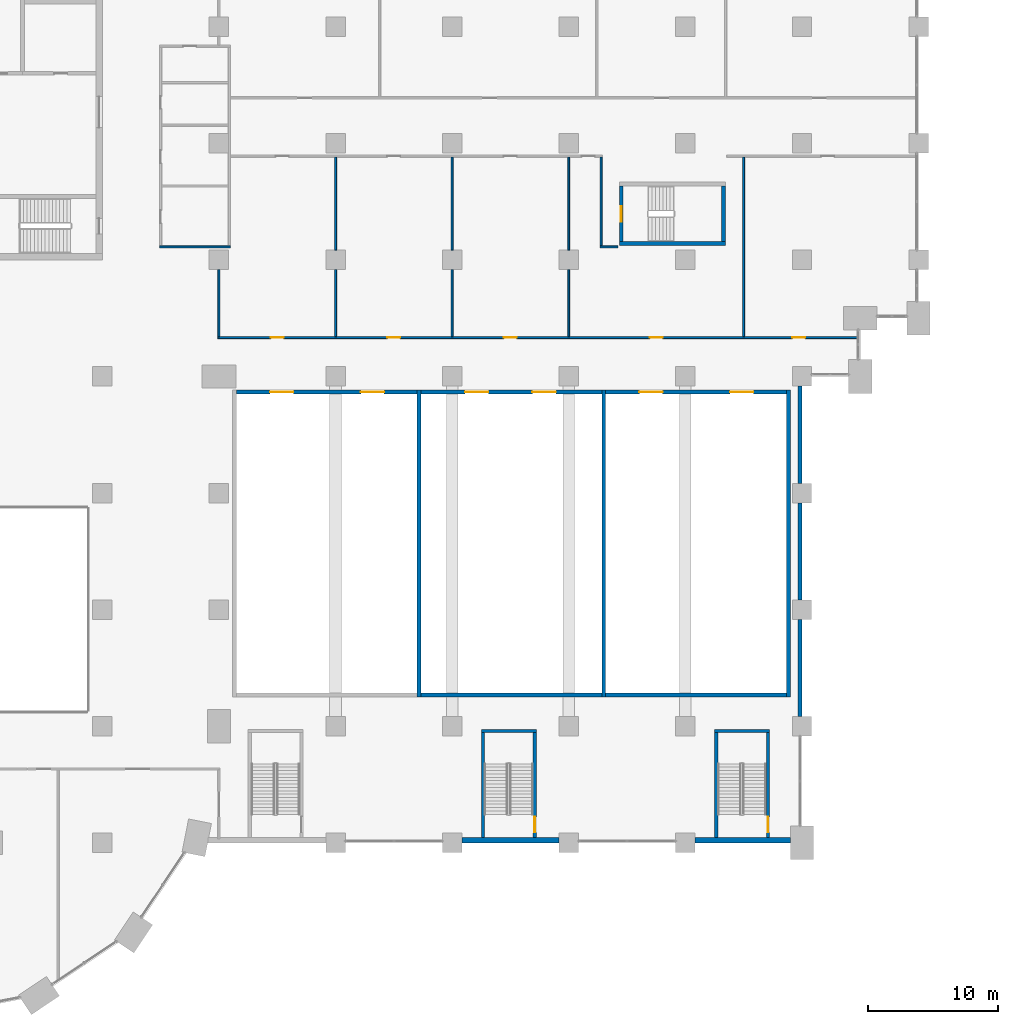
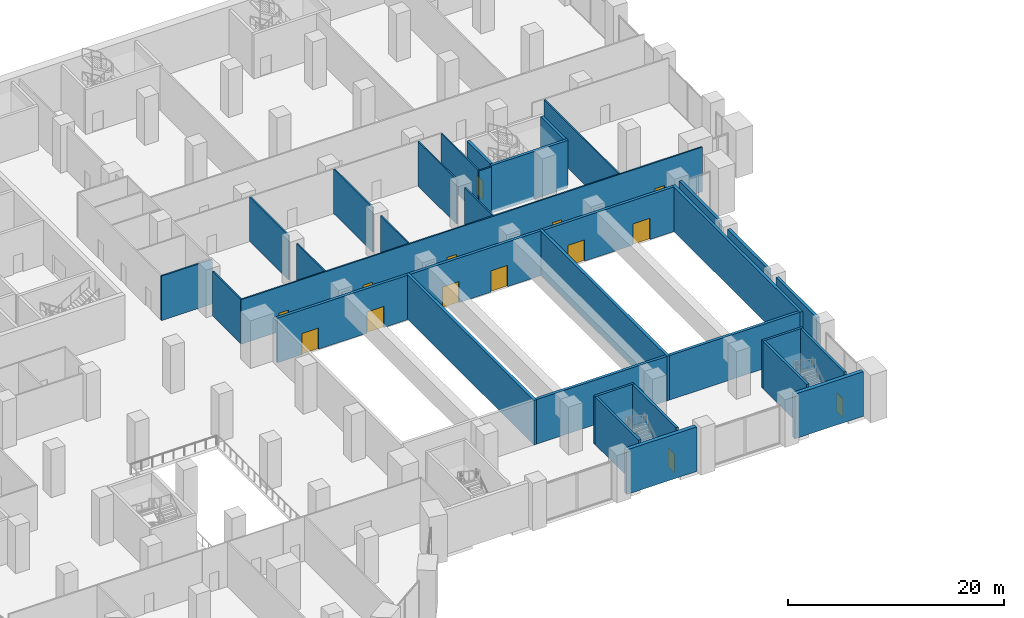
# One storey, part 17 of 43: 34 walls, 14 doors, 14 openings.
"""IFC4 building model written with IfcOpenShell, lengths in metres."""

from ifc_helpers import new_model, si_unit, direction, frame, frame_2d, origin, place, context, subcontext, project, spatial, rectangle, extrude, material, layer, layer_set, type_object, element, fill, save


model = new_model("IFC4")

# Units and contexts
model_context = context("Model", 3, precision=1e-05, world=origin(), true_north=direction((0.0, 1.0)))
body_context = subcontext(model_context, "Body", "Model", "MODEL_VIEW")
ifc_project = project(units=[si_unit("LENGTHUNIT", "METRE"), si_unit("AREAUNIT", "SQUARE_METRE"), si_unit("VOLUMEUNIT", "CUBIC_METRE"), si_unit("PLANEANGLEUNIT", "RADIAN"), si_unit("MASSUNIT", "GRAM", prefix="KILO")], contexts=[model_context])

# Site, building, storey
site_placement = place(None, origin())
site = spatial("IfcSite", under=ifc_project, at=site_placement, CompositionType="ELEMENT")
building_placement = place(site_placement, origin())
building = spatial("IfcBuilding", under=site, at=building_placement, Name="Hunhe Ridgeline Campus", CompositionType="ELEMENT")
storey_placement = place(building_placement, frame((0.0, 0.0, 11.39990234375)))
storey = spatial("IfcBuildingStorey", under=building, at=storey_placement, Name="L02", CompositionType="ELEMENT", Elevation=11.39990234375)

# Walls
ifc_material_1 = material(Name="Plastered blockwork", Category="masonry")
ifc_layer_1 = layer(ifc_material_1, 0.14990234375)
ifc_layer_set_1 = layer_set([ifc_layer_1], Name="Blockwork partition 150")
wall_type_1 = type_object("IfcWallType", Name="Blockwork partition 150", PredefinedType="PARTITIONING", material=ifc_layer_set_1)
wall_1_placement = place(storey_placement, frame((45.0, 57.074951171875, 0.0), z_axis=(0.0, 0.0, 1.0), x_axis=(0.0, 1.0, 0.0)))
element("IfcWall", 1, at=wall_1_placement, inside=storey, type_object=wall_type_1, Name="L02 partition", PredefinedType="PARTITIONING", context=body_context, shape_type="SweptSolid", body=[
    extrude(rectangle(XDim=5.175048828125, YDim=0.14990234375, at=frame_2d((2.58740234375, 0.0))), origin(), (0.0, 0.0, 1.0), 5.050048828125),
])
wall_2_placement = place(storey_placement, frame((45.875, 64.0, 0.0), z_axis=(0.0, 0.0, 1.0), x_axis=(-1.0, 0.0, 0.0)))
element("IfcWall", 2, at=wall_2_placement, inside=storey, type_object=wall_type_1, Name="L02 partition", PredefinedType="PARTITIONING", context=body_context, shape_type="SweptSolid", body=[
    extrude(rectangle(XDim=5.449951171875, YDim=0.14990234375, at=frame_2d((2.72509765625, 0.0))), origin(), (0.0, 0.0, 1.0), 5.050048828125),
])
wall_3_placement = place(storey_placement, frame((74.425048828125, 64.0, 0.0), z_axis=(0.0, 0.0, 1.0), x_axis=(1.0, 0.0, 0.0)))
element("IfcWall", 3, at=wall_3_placement, inside=storey, type_object=wall_type_1, Name="L02 partition", PredefinedType="PARTITIONING", context=body_context, shape_type="SweptSolid", body=[
    extrude(rectangle(XDim=1.375, YDim=0.14990234375, at=frame_2d((0.6875, 0.0))), origin(), (0.0, 0.0, 1.0), 5.050048828125),
])
wall_4_placement = place(storey_placement, frame((54.0, 57.074951171875, 0.0), z_axis=(0.0, 0.0, 1.0), x_axis=(0.0, 1.0, 0.0)))
element("IfcWall", 4, at=wall_4_placement, inside=storey, type_object=wall_type_1, Name="L02 partition", PredefinedType="PARTITIONING", context=body_context, shape_type="SweptSolid", body=[
    extrude(rectangle(XDim=5.175048828125, YDim=0.14990234375, at=frame_2d((2.58740234375, 0.0))), origin(), (0.0, 0.0, 1.0), 5.050048828125),
])
wall_5_placement = place(storey_placement, frame((54.0, 63.75, 0.0), z_axis=(0.0, 0.0, 1.0), x_axis=(0.0, 1.0, 0.0)))
element("IfcWall", 5, at=wall_5_placement, inside=storey, type_object=wall_type_1, Name="L02 partition", PredefinedType="PARTITIONING", context=body_context, shape_type="SweptSolid", body=[
    extrude(rectangle(XDim=7.175048828125, YDim=0.14990234375, at=frame_2d((3.58740234375, 0.0))), origin(), (0.0, 0.0, 1.0), 5.050048828125),
])

# Wall, openings, doors
wall_6_placement = place(storey_placement, frame((94.320068359375, 57.0, 0.0), z_axis=(0.0, 0.0, 1.0), x_axis=(-1.0, 0.0, 0.0)))
wall_6 = element("IfcWall", 6, at=wall_6_placement, inside=storey, type_object=wall_type_1, Name="L02 partition", PredefinedType="PARTITIONING", context=body_context, shape_type="SweptSolid", body=[
    extrude(rectangle(XDim=49.39501953125, YDim=0.14990234375, at=frame_2d((24.697509765625, 0.0))), origin(), (0.0, 0.0, 1.0), 5.050048828125),
])
opening_1_placement = place(wall_6_placement, frame((44.320068359375, 0.0, 0.0)))
opening_1 = element("IfcOpeningElement", 7, at=opening_1_placement, cuts=wall_6, Name="Opening PD327", PredefinedType="OPENING", context=body_context, shape_type="SweptSolid", body=[
    extrude(rectangle(XDim=1.0, YDim=2.10009765625, at=frame_2d((0.5, 1.050048828125))), frame((0.0, 0.074951171875, 0.0), z_axis=(0.0, -1.0, 0.0), x_axis=(1.0, 0.0, 0.0)), (0.0, 0.0, 1.0), 0.14990234375),
])
opening_2_placement = place(wall_6_placement, frame((35.320068359375, 0.0, 0.0)))
opening_2 = element("IfcOpeningElement", 8, at=opening_2_placement, cuts=wall_6, Name="Opening PD329", PredefinedType="OPENING", context=body_context, shape_type="SweptSolid", body=[
    extrude(rectangle(XDim=1.0, YDim=2.10009765625, at=frame_2d((0.5, 1.050048828125))), frame((0.0, 0.074951171875, 0.0), z_axis=(0.0, -1.0, 0.0), x_axis=(1.0, 0.0, 0.0)), (0.0, 0.0, 1.0), 0.14990234375),
])
opening_3_placement = place(wall_6_placement, frame((26.320068359375, 0.0, 0.0)))
opening_3 = element("IfcOpeningElement", 9, at=opening_3_placement, cuts=wall_6, Name="Opening PD331", PredefinedType="OPENING", context=body_context, shape_type="SweptSolid", body=[
    extrude(rectangle(XDim=1.0, YDim=2.10009765625, at=frame_2d((0.5, 1.050048828125))), frame((0.0, 0.074951171875, 0.0), z_axis=(0.0, -1.0, 0.0), x_axis=(1.0, 0.0, 0.0)), (0.0, 0.0, 1.0), 0.14990234375),
])
opening_4_placement = place(wall_6_placement, frame((15.070068359375, 0.0, 0.0)))
opening_4 = element("IfcOpeningElement", 10, at=opening_4_placement, cuts=wall_6, Name="Opening PD333", PredefinedType="OPENING", context=body_context, shape_type="SweptSolid", body=[
    extrude(rectangle(XDim=1.0, YDim=2.10009765625, at=frame_2d((0.5, 1.050048828125))), frame((0.0, 0.074951171875, 0.0), z_axis=(0.0, -1.0, 0.0), x_axis=(1.0, 0.0, 0.0)), (0.0, 0.0, 1.0), 0.14990234375),
])
opening_5_placement = place(wall_6_placement, frame((4.070068359375, 0.0, 0.0)))
opening_5 = element("IfcOpeningElement", 11, at=opening_5_placement, cuts=wall_6, Name="Opening PD336", PredefinedType="OPENING", context=body_context, shape_type="SweptSolid", body=[
    extrude(rectangle(XDim=1.0, YDim=2.10009765625, at=frame_2d((0.5, 1.050048828125))), frame((0.0, 0.074951171875, 0.0), z_axis=(0.0, -1.0, 0.0), x_axis=(1.0, 0.0, 0.0)), (0.0, 0.0, 1.0), 0.14990234375),
])
ifc_material_2 = material(Name="Timber", Category="wood")
door_type_1 = type_object("IfcDoorType", Name="Podium timber door 1000x2100", OperationType="NOTDEFINED", PredefinedType="DOOR", material=ifc_material_2)
door_1_placement = place(opening_1_placement, origin())
door_1 = element("IfcDoor", 12, at=door_1_placement, inside=storey, type_object=door_type_1, Name="AV Projection Room A door", OperationType="SINGLE_SWING_RIGHT", OverallHeight=2.10009765625, OverallWidth=1.0, PredefinedType="DOOR", context=body_context, shape_type="SweptSolid", body=[
    extrude(rectangle(XDim=1.0, YDim=2.10009765625, at=frame_2d((0.5, 1.050048828125))), frame((0.0, 0.02490234375, 0.0), z_axis=(0.0, -1.0, 0.0), x_axis=(1.0, 0.0, 0.0)), (0.0, 0.0, 1.0), 0.050048828125),
])
fill(opening_1, door_1)
door_2_placement = place(opening_2_placement, origin())
door_2 = element("IfcDoor", 13, at=door_2_placement, inside=storey, type_object=door_type_1, Name="AV Projection Room B door", OperationType="SINGLE_SWING_RIGHT", OverallHeight=2.10009765625, OverallWidth=1.0, PredefinedType="DOOR", context=body_context, shape_type="SweptSolid", body=[
    extrude(rectangle(XDim=1.0, YDim=2.10009765625, at=frame_2d((0.5, 1.050048828125))), frame((0.0, 0.02490234375, 0.0), z_axis=(0.0, -1.0, 0.0), x_axis=(1.0, 0.0, 0.0)), (0.0, 0.0, 1.0), 0.050048828125),
])
fill(opening_2, door_2)
door_3_placement = place(opening_3_placement, origin())
door_3 = element("IfcDoor", 14, at=door_3_placement, inside=storey, type_object=door_type_1, Name="AV Projection Room C door", OperationType="SINGLE_SWING_RIGHT", OverallHeight=2.10009765625, OverallWidth=1.0, PredefinedType="DOOR", context=body_context, shape_type="SweptSolid", body=[
    extrude(rectangle(XDim=1.0, YDim=2.10009765625, at=frame_2d((0.5, 1.050048828125))), frame((0.0, 0.02490234375, 0.0), z_axis=(0.0, -1.0, 0.0), x_axis=(1.0, 0.0, 0.0)), (0.0, 0.0, 1.0), 0.050048828125),
])
fill(opening_3, door_3)
door_4_placement = place(opening_4_placement, origin())
door_4 = element("IfcDoor", 15, at=door_4_placement, inside=storey, type_object=door_type_1, Name="Seminar Room 2.09 door", OperationType="SINGLE_SWING_LEFT", OverallHeight=2.10009765625, OverallWidth=1.0, PredefinedType="DOOR", context=body_context, shape_type="SweptSolid", body=[
    extrude(rectangle(XDim=1.0, YDim=2.10009765625, at=frame_2d((0.5, 1.050048828125))), frame((0.0, 0.02490234375, 0.0), z_axis=(0.0, -1.0, 0.0), x_axis=(1.0, 0.0, 0.0)), (0.0, 0.0, 1.0), 0.050048828125),
])
fill(opening_4, door_4)
door_5_placement = place(opening_5_placement, origin())
door_5 = element("IfcDoor", 16, at=door_5_placement, inside=storey, type_object=door_type_1, Name="Seminar Room 2.10 door", OperationType="SINGLE_SWING_LEFT", OverallHeight=2.10009765625, OverallWidth=1.0, PredefinedType="DOOR", context=body_context, shape_type="SweptSolid", body=[
    extrude(rectangle(XDim=1.0, YDim=2.10009765625, at=frame_2d((0.5, 1.050048828125))), frame((0.0, 0.02490234375, 0.0), z_axis=(0.0, -1.0, 0.0), x_axis=(1.0, 0.0, 0.0)), (0.0, 0.0, 1.0), 0.050048828125),
])
fill(opening_5, door_5)

# Walls
wall_7_placement = place(storey_placement, frame((63.0, 57.074951171875, 0.0), z_axis=(0.0, 0.0, 1.0), x_axis=(0.0, 1.0, 0.0)))
element("IfcWall", 17, at=wall_7_placement, inside=storey, type_object=wall_type_1, Name="L02 partition", PredefinedType="PARTITIONING", context=body_context, shape_type="SweptSolid", body=[
    extrude(rectangle(XDim=5.175048828125, YDim=0.14990234375, at=frame_2d((2.58740234375, 0.0))), origin(), (0.0, 0.0, 1.0), 5.050048828125),
])
wall_8_placement = place(storey_placement, frame((63.0, 63.75, 0.0), z_axis=(0.0, 0.0, 1.0), x_axis=(0.0, 1.0, 0.0)))
element("IfcWall", 18, at=wall_8_placement, inside=storey, type_object=wall_type_1, Name="L02 partition", PredefinedType="PARTITIONING", context=body_context, shape_type="SweptSolid", body=[
    extrude(rectangle(XDim=7.175048828125, YDim=0.14990234375, at=frame_2d((3.58740234375, 0.0))), origin(), (0.0, 0.0, 1.0), 5.050048828125),
])
wall_9_placement = place(storey_placement, frame((72.0, 57.074951171875, 0.0), z_axis=(0.0, 0.0, 1.0), x_axis=(0.0, 1.0, 0.0)))
element("IfcWall", 19, at=wall_9_placement, inside=storey, type_object=wall_type_1, Name="L02 partition", PredefinedType="PARTITIONING", context=body_context, shape_type="SweptSolid", body=[
    extrude(rectangle(XDim=5.175048828125, YDim=0.14990234375, at=frame_2d((2.58740234375, 0.0))), origin(), (0.0, 0.0, 1.0), 5.050048828125),
])
wall_10_placement = place(storey_placement, frame((72.0, 63.75, 0.0), z_axis=(0.0, 0.0, 1.0), x_axis=(0.0, 1.0, 0.0)))
element("IfcWall", 20, at=wall_10_placement, inside=storey, type_object=wall_type_1, Name="L02 partition", PredefinedType="PARTITIONING", context=body_context, shape_type="SweptSolid", body=[
    extrude(rectangle(XDim=7.175048828125, YDim=0.14990234375, at=frame_2d((3.58740234375, 0.0))), origin(), (0.0, 0.0, 1.0), 5.050048828125),
])
wall_11_placement = place(storey_placement, frame((85.5, 57.074951171875, 0.0), z_axis=(0.0, 0.0, 1.0), x_axis=(0.0, 1.0, 0.0)))
element("IfcWall", 21, at=wall_11_placement, inside=storey, type_object=wall_type_1, Name="L02 partition", PredefinedType="PARTITIONING", context=body_context, shape_type="SweptSolid", body=[
    extrude(rectangle(XDim=13.85009765625, YDim=0.14990234375, at=frame_2d((6.925048828125, 0.0))), origin(), (0.0, 0.0, 1.0), 5.050048828125),
])
wall_12_placement = place(storey_placement, frame((74.5, 70.925048828125, 0.0), z_axis=(0.0, 0.0, 1.0), x_axis=(0.0, -1.0, 0.0)))
element("IfcWall", 22, at=wall_12_placement, inside=storey, type_object=wall_type_1, Name="L02 partition", PredefinedType="PARTITIONING", context=body_context, shape_type="SweptSolid", body=[
    extrude(rectangle(XDim=6.85009765625, YDim=0.14990234375, at=frame_2d((3.425048828125, 0.0))), origin(), (0.0, 0.0, 1.0), 5.050048828125),
])
ifc_material_3 = material(Name="Concrete C40", Category="concrete")
ifc_layer_2 = layer(ifc_material_3, 0.300048828125)
ifc_layer_set_2 = layer_set([ifc_layer_2], Name="External concrete wall 300 C40")
wall_type_2 = type_object("IfcWallType", Name="External concrete wall 300 C40", PredefinedType="SOLIDWALL", material=ifc_layer_set_2)
for number, where, z_axis, x_axis, name in (
    (23, (89.85009765625, 27.75, 0.0), (0.0, 0.0, 1.0), (0.0, 1.0, 0.0), "L02 external wall"),
    (24, (89.85009765625, 36.75, 0.0), (0.0, 0.0, 1.0), (0.0, 1.0, 0.0), "L02 external wall"),
    (25, (89.85009765625, 45.75, 0.0), (0.0, 0.0, 1.0), (0.0, 1.0, 0.0), "L02 external wall"),
):
    element("IfcWall", number, at=place(storey_placement, frame(where, z_axis=z_axis, x_axis=x_axis)), inside=storey, type_object=wall_type_2, Name=name, PredefinedType="SOLIDWALL", context=body_context, shape_type="SweptSolid", body=[
        extrude(rectangle(XDim=7.5, YDim=0.300048828125, at=frame_2d((3.75, 0.0))), origin(), (0.0, 0.0, 1.0), 5.050048828125),
    ])
ifc_layer_3 = layer(ifc_material_3, 0.300048828125)
ifc_layer_set_3 = layer_set([ifc_layer_3], Name="Lecture hall wall 300 C40")
wall_type_3 = type_object("IfcWallType", Name="Lecture hall wall 300 C40", PredefinedType="SOLIDWALL", material=ifc_layer_set_3)
for number, where, z_axis, x_axis, name in (
    (26, (60.449951171875, 29.25, 0.0), (0.0, 0.0, 1.0), (0.0, 1.0, 0.0), "L02 lecture hall wall"),
    (27, (74.699951171875, 29.25, 0.0), (0.0, 0.0, 1.0), (0.0, 1.0, 0.0), "L02 lecture hall wall"),
    (28, (88.949951171875, 29.25, 0.0), (0.0, 0.0, 1.0), (0.0, 1.0, 0.0), "L02 lecture hall wall"),
):
    element("IfcWall", number, at=place(storey_placement, frame(where, z_axis=z_axis, x_axis=x_axis)), inside=storey, type_object=wall_type_3, Name=name, PredefinedType="SOLIDWALL", context=body_context, shape_type="SweptSolid", body=[
        extrude(rectangle(XDim=23.699951171875, YDim=0.300048828125, at=frame_2d((11.85009765625, 0.0))), origin(), (0.0, 0.0, 1.0), 5.050048828125),
    ])

# Wall, openings, doors
wall_13_placement = place(storey_placement, frame((46.35009765625, 52.800048828125, 0.0), z_axis=(0.0, 0.0, 1.0), x_axis=(1.0, 0.0, 0.0)))
wall_13 = element("IfcWall", 29, at=wall_13_placement, inside=storey, type_object=wall_type_3, Name="L02 lecture hall wall", PredefinedType="SOLIDWALL", context=body_context, shape_type="SweptSolid", body=[
    extrude(rectangle(XDim=13.949951171875, YDim=0.300048828125, at=frame_2d((6.97509765625, 0.0))), origin(), (0.0, 0.0, 1.0), 5.050048828125),
])
opening_6_placement = place(wall_13_placement, frame((2.60009765625, 0.0, 0.0)))
opening_6 = element("IfcOpeningElement", 30, at=opening_6_placement, cuts=wall_13, Name="Opening PD304", PredefinedType="OPENING", context=body_context, shape_type="SweptSolid", body=[
    extrude(rectangle(XDim=1.800048828125, YDim=2.39990234375, at=frame_2d((0.89990234375, 1.199951171875))), frame((0.0, 0.14990234375, 0.0), z_axis=(0.0, -1.0, 0.0), x_axis=(1.0, 0.0, 0.0)), (0.0, 0.0, 1.0), 0.300048828125),
])
opening_7_placement = place(wall_13_placement, frame((9.60009765625, 0.0, 0.0)))
opening_7 = element("IfcOpeningElement", 31, at=opening_7_placement, cuts=wall_13, Name="Opening PD305", PredefinedType="OPENING", context=body_context, shape_type="SweptSolid", body=[
    extrude(rectangle(XDim=1.800048828125, YDim=2.39990234375, at=frame_2d((0.89990234375, 1.199951171875))), frame((0.0, 0.14990234375, 0.0), z_axis=(0.0, -1.0, 0.0), x_axis=(1.0, 0.0, 0.0)), (0.0, 0.0, 1.0), 0.300048828125),
])
door_type_2 = type_object("IfcDoorType", Name="Podium lecture hall double door 1800x2400", OperationType="NOTDEFINED", PredefinedType="DOOR", material=ifc_material_2)
door_6_placement = place(opening_6_placement, origin())
door_6 = element("IfcDoor", 32, at=door_6_placement, inside=storey, type_object=door_type_2, Name="Lecture Hall A rear door", OperationType="DOUBLE_DOOR_SINGLE_SWING", OverallHeight=2.39990234375, OverallWidth=1.800048828125, PredefinedType="DOOR", context=body_context, shape_type="SweptSolid", body=[
    extrude(rectangle(XDim=1.800048828125, YDim=2.39990234375, at=frame_2d((0.89990234375, 1.199951171875))), frame((0.0, 0.02490234375, 0.0), z_axis=(0.0, -1.0, 0.0), x_axis=(1.0, 0.0, 0.0)), (0.0, 0.0, 1.0), 0.050048828125),
])
fill(opening_6, door_6)
door_7_placement = place(opening_7_placement, origin())
door_7 = element("IfcDoor", 33, at=door_7_placement, inside=storey, type_object=door_type_2, Name="Lecture Hall A rear door", OperationType="DOUBLE_DOOR_SINGLE_SWING", OverallHeight=2.39990234375, OverallWidth=1.800048828125, PredefinedType="DOOR", context=body_context, shape_type="SweptSolid", body=[
    extrude(rectangle(XDim=1.800048828125, YDim=2.39990234375, at=frame_2d((0.89990234375, 1.199951171875))), frame((0.0, 0.02490234375, 0.0), z_axis=(0.0, -1.0, 0.0), x_axis=(1.0, 0.0, 0.0)), (0.0, 0.0, 1.0), 0.050048828125),
])
fill(opening_7, door_7)

# Wall
wall_14_placement = place(storey_placement, frame((74.550048828125, 29.39990234375, 0.0), z_axis=(0.0, 0.0, 1.0), x_axis=(-1.0, 0.0, 0.0)))
element("IfcWall", 34, at=wall_14_placement, inside=storey, type_object=wall_type_3, Name="L02 lecture hall wall", PredefinedType="SOLIDWALL", context=body_context, shape_type="SweptSolid", body=[
    extrude(rectangle(XDim=13.949951171875, YDim=0.300048828125, at=frame_2d((6.97509765625, 0.0))), origin(), (0.0, 0.0, 1.0), 5.050048828125),
])

# Wall, openings, doors
wall_15_placement = place(storey_placement, frame((60.60009765625, 52.800048828125, 0.0), z_axis=(0.0, 0.0, 1.0), x_axis=(1.0, 0.0, 0.0)))
wall_15 = element("IfcWall", 35, at=wall_15_placement, inside=storey, type_object=wall_type_3, Name="L02 lecture hall wall", PredefinedType="SOLIDWALL", context=body_context, shape_type="SweptSolid", body=[
    extrude(rectangle(XDim=13.949951171875, YDim=0.300048828125, at=frame_2d((6.97509765625, 0.0))), origin(), (0.0, 0.0, 1.0), 5.050048828125),
])
opening_8_placement = place(wall_15_placement, frame((3.39990234375, 0.0, 0.0)))
opening_8 = element("IfcOpeningElement", 36, at=opening_8_placement, cuts=wall_15, Name="Opening PD306", PredefinedType="OPENING", context=body_context, shape_type="SweptSolid", body=[
    extrude(rectangle(XDim=1.800048828125, YDim=2.39990234375, at=frame_2d((0.89990234375, 1.199951171875))), frame((0.0, 0.14990234375, 0.0), z_axis=(0.0, -1.0, 0.0), x_axis=(1.0, 0.0, 0.0)), (0.0, 0.0, 1.0), 0.300048828125),
])
opening_9_placement = place(wall_15_placement, frame((8.60009765625, 0.0, 0.0)))
opening_9 = element("IfcOpeningElement", 37, at=opening_9_placement, cuts=wall_15, Name="Opening PD307", PredefinedType="OPENING", context=body_context, shape_type="SweptSolid", body=[
    extrude(rectangle(XDim=1.800048828125, YDim=2.39990234375, at=frame_2d((0.89990234375, 1.199951171875))), frame((0.0, 0.14990234375, 0.0), z_axis=(0.0, -1.0, 0.0), x_axis=(1.0, 0.0, 0.0)), (0.0, 0.0, 1.0), 0.300048828125),
])
door_8_placement = place(opening_8_placement, origin())
door_8 = element("IfcDoor", 38, at=door_8_placement, inside=storey, type_object=door_type_2, Name="Lecture Hall B rear door", OperationType="DOUBLE_DOOR_SINGLE_SWING", OverallHeight=2.39990234375, OverallWidth=1.800048828125, PredefinedType="DOOR", context=body_context, shape_type="SweptSolid", body=[
    extrude(rectangle(XDim=1.800048828125, YDim=2.39990234375, at=frame_2d((0.89990234375, 1.199951171875))), frame((0.0, 0.02490234375, 0.0), z_axis=(0.0, -1.0, 0.0), x_axis=(1.0, 0.0, 0.0)), (0.0, 0.0, 1.0), 0.050048828125),
])
fill(opening_8, door_8)
door_9_placement = place(opening_9_placement, origin())
door_9 = element("IfcDoor", 39, at=door_9_placement, inside=storey, type_object=door_type_2, Name="Lecture Hall B rear door", OperationType="DOUBLE_DOOR_SINGLE_SWING", OverallHeight=2.39990234375, OverallWidth=1.800048828125, PredefinedType="DOOR", context=body_context, shape_type="SweptSolid", body=[
    extrude(rectangle(XDim=1.800048828125, YDim=2.39990234375, at=frame_2d((0.89990234375, 1.199951171875))), frame((0.0, 0.02490234375, 0.0), z_axis=(0.0, -1.0, 0.0), x_axis=(1.0, 0.0, 0.0)), (0.0, 0.0, 1.0), 0.050048828125),
])
fill(opening_9, door_9)

# Wall
wall_16_placement = place(storey_placement, frame((88.800048828125, 29.39990234375, 0.0), z_axis=(0.0, 0.0, 1.0), x_axis=(-1.0, 0.0, 0.0)))
element("IfcWall", 40, at=wall_16_placement, inside=storey, type_object=wall_type_3, Name="L02 lecture hall wall", PredefinedType="SOLIDWALL", context=body_context, shape_type="SweptSolid", body=[
    extrude(rectangle(XDim=13.949951171875, YDim=0.300048828125, at=frame_2d((6.97509765625, 0.0))), origin(), (0.0, 0.0, 1.0), 5.050048828125),
])

# Wall, openings, doors
wall_17_placement = place(storey_placement, frame((74.85009765625, 52.800048828125, 0.0), z_axis=(0.0, 0.0, 1.0), x_axis=(1.0, 0.0, 0.0)))
wall_17 = element("IfcWall", 41, at=wall_17_placement, inside=storey, type_object=wall_type_3, Name="L02 lecture hall wall", PredefinedType="SOLIDWALL", context=body_context, shape_type="SweptSolid", body=[
    extrude(rectangle(XDim=13.949951171875, YDim=0.300048828125, at=frame_2d((6.97509765625, 0.0))), origin(), (0.0, 0.0, 1.0), 5.050048828125),
])
opening_10_placement = place(wall_17_placement, frame((2.60009765625, 0.0, 0.0)))
opening_10 = element("IfcOpeningElement", 42, at=opening_10_placement, cuts=wall_17, Name="Opening PD308", PredefinedType="OPENING", context=body_context, shape_type="SweptSolid", body=[
    extrude(rectangle(XDim=1.800048828125, YDim=2.39990234375, at=frame_2d((0.89990234375, 1.199951171875))), frame((0.0, 0.14990234375, 0.0), z_axis=(0.0, -1.0, 0.0), x_axis=(1.0, 0.0, 0.0)), (0.0, 0.0, 1.0), 0.300048828125),
])
opening_11_placement = place(wall_17_placement, frame((9.60009765625, 0.0, 0.0)))
opening_11 = element("IfcOpeningElement", 43, at=opening_11_placement, cuts=wall_17, Name="Opening PD309", PredefinedType="OPENING", context=body_context, shape_type="SweptSolid", body=[
    extrude(rectangle(XDim=1.800048828125, YDim=2.39990234375, at=frame_2d((0.89990234375, 1.199951171875))), frame((0.0, 0.14990234375, 0.0), z_axis=(0.0, -1.0, 0.0), x_axis=(1.0, 0.0, 0.0)), (0.0, 0.0, 1.0), 0.300048828125),
])
door_10_placement = place(opening_10_placement, origin())
door_10 = element("IfcDoor", 44, at=door_10_placement, inside=storey, type_object=door_type_2, Name="Lecture Hall C rear door", OperationType="DOUBLE_DOOR_SINGLE_SWING", OverallHeight=2.39990234375, OverallWidth=1.800048828125, PredefinedType="DOOR", context=body_context, shape_type="SweptSolid", body=[
    extrude(rectangle(XDim=1.800048828125, YDim=2.39990234375, at=frame_2d((0.89990234375, 1.199951171875))), frame((0.0, 0.02490234375, 0.0), z_axis=(0.0, -1.0, 0.0), x_axis=(1.0, 0.0, 0.0)), (0.0, 0.0, 1.0), 0.050048828125),
])
fill(opening_10, door_10)
door_11_placement = place(opening_11_placement, origin())
door_11 = element("IfcDoor", 45, at=door_11_placement, inside=storey, type_object=door_type_2, Name="Lecture Hall C rear door", OperationType="DOUBLE_DOOR_SINGLE_SWING", OverallHeight=2.39990234375, OverallWidth=1.800048828125, PredefinedType="DOOR", context=body_context, shape_type="SweptSolid", body=[
    extrude(rectangle(XDim=1.800048828125, YDim=2.39990234375, at=frame_2d((0.89990234375, 1.199951171875))), frame((0.0, 0.02490234375, 0.0), z_axis=(0.0, -1.0, 0.0), x_axis=(1.0, 0.0, 0.0)), (0.0, 0.0, 1.0), 0.050048828125),
])
fill(opening_11, door_11)

# Walls
ifc_layer_4 = layer(ifc_material_3, 0.39990234375)
ifc_layer_set_4 = layer_set([ifc_layer_4], Name="Stair shaft facade wall 400 C40")
wall_type_4 = type_object("IfcWallType", Name="Stair shaft facade wall 400 C40", PredefinedType="SOLIDWALL", material=ifc_layer_set_4)
wall_18_placement = place(storey_placement, frame((71.25, 18.199951171875, 0.0), z_axis=(0.0, 0.0, 1.0), x_axis=(-1.0, 0.0, 0.0)))
element("IfcWall", 46, at=wall_18_placement, inside=storey, type_object=wall_type_4, Name="L02 stair facade wall", PredefinedType="SOLIDWALL", context=body_context, shape_type="SweptSolid", body=[
    extrude(rectangle(XDim=7.5, YDim=0.39990234375, at=frame_2d((3.75, 0.0))), origin(), (0.0, 0.0, 1.0), 5.050048828125),
])
wall_19_placement = place(storey_placement, frame((89.10009765625, 18.199951171875, 0.0), z_axis=(0.0, 0.0, 1.0), x_axis=(-1.0, 0.0, 0.0)))
element("IfcWall", 47, at=wall_19_placement, inside=storey, type_object=wall_type_4, Name="L02 stair facade wall", PredefinedType="SOLIDWALL", context=body_context, shape_type="SweptSolid", body=[
    extrude(rectangle(XDim=7.35009765625, YDim=0.39990234375, at=frame_2d((3.675048828125, 0.0))), origin(), (0.0, 0.0, 1.0), 5.050048828125),
])
ifc_layer_5 = layer(ifc_material_3, 0.25)
ifc_layer_set_5 = layer_set([ifc_layer_5], Name="Stair shaft wall 250 C40")
wall_type_5 = type_object("IfcWallType", Name="Stair shaft wall 250 C40", PredefinedType="SOLIDWALL", material=ifc_layer_set_5)
wall_20_placement = place(storey_placement, frame((65.375, 18.39990234375, 0.0), z_axis=(0.0, 0.0, 1.0), x_axis=(0.0, 1.0, 0.0)))
element("IfcWall", 48, at=wall_20_placement, inside=storey, type_object=wall_type_5, Name="L02 PS2 shaft wall", PredefinedType="SOLIDWALL", context=body_context, shape_type="SweptSolid", body=[
    extrude(rectangle(XDim=8.10009765625, YDim=0.25, at=frame_2d((4.050048828125, 0.0))), origin(), (0.0, 0.0, 1.0), 5.400146484375),
])

# Wall, opening, door
wall_21_placement = place(storey_placement, frame((69.375, 26.5, 0.0), z_axis=(0.0, 0.0, 1.0), x_axis=(0.0, -1.0, 0.0)))
wall_21 = element("IfcWall", 49, at=wall_21_placement, inside=storey, type_object=wall_type_5, Name="L02 PS2 shaft wall", PredefinedType="SOLIDWALL", context=body_context, shape_type="SweptSolid", body=[
    extrude(rectangle(XDim=8.10009765625, YDim=0.25, at=frame_2d((4.050048828125, 0.0))), origin(), (0.0, 0.0, 1.0), 5.400146484375),
])
opening_12_placement = place(wall_21_placement, frame((6.5, 0.0, 0.0)))
opening_12 = element("IfcOpeningElement", 50, at=opening_12_placement, cuts=wall_21, Name="Opening PD302", PredefinedType="OPENING", context=body_context, shape_type="SweptSolid", body=[
    extrude(rectangle(XDim=1.199951171875, YDim=2.10009765625, at=frame_2d((0.60009765625, 1.050048828125))), frame((0.0, 0.125, 0.0), z_axis=(0.0, -1.0, 0.0), x_axis=(1.0, 0.0, 0.0)), (0.0, 0.0, 1.0), 0.25),
])
ifc_material_4 = material(Name="Steel Q235", Category="steel")
door_type_3 = type_object("IfcDoorType", Name="Podium fire door 1200x2100 FD60", OperationType="NOTDEFINED", PredefinedType="DOOR", material=ifc_material_4)
door_12_placement = place(opening_12_placement, origin())
door_12 = element("IfcDoor", 51, at=door_12_placement, inside=storey, type_object=door_type_3, Name="Stair door PS2", OperationType="SINGLE_SWING_LEFT", OverallHeight=2.10009765625, OverallWidth=1.199951171875, PredefinedType="DOOR", context=body_context, shape_type="SweptSolid", body=[
    extrude(rectangle(XDim=1.199951171875, YDim=2.10009765625, at=frame_2d((0.60009765625, 1.050048828125))), frame((0.0, 0.02490234375, 0.0), z_axis=(0.0, -1.0, 0.0), x_axis=(1.0, 0.0, 0.0)), (0.0, 0.0, 1.0), 0.050048828125),
])
fill(opening_12, door_12)

# Walls
wall_22_placement = place(storey_placement, frame((65.25, 26.625, 0.0), z_axis=(0.0, 0.0, 1.0), x_axis=(1.0, 0.0, 0.0)))
element("IfcWall", 52, at=wall_22_placement, inside=storey, type_object=wall_type_5, Name="L02 PS2 shaft wall", PredefinedType="SOLIDWALL", context=body_context, shape_type="SweptSolid", body=[
    extrude(rectangle(XDim=4.25, YDim=0.25, at=frame_2d((2.125, 0.0))), origin(), (0.0, 0.0, 1.0), 5.400146484375),
])
wall_23_placement = place(storey_placement, frame((83.375, 18.39990234375, 0.0), z_axis=(0.0, 0.0, 1.0), x_axis=(0.0, 1.0, 0.0)))
element("IfcWall", 53, at=wall_23_placement, inside=storey, type_object=wall_type_5, Name="L02 PS3 shaft wall", PredefinedType="SOLIDWALL", context=body_context, shape_type="SweptSolid", body=[
    extrude(rectangle(XDim=8.10009765625, YDim=0.25, at=frame_2d((4.050048828125, 0.0))), origin(), (0.0, 0.0, 1.0), 5.400146484375),
])

# Wall, opening, door
wall_24_placement = place(storey_placement, frame((87.375, 26.5, 0.0), z_axis=(0.0, 0.0, 1.0), x_axis=(0.0, -1.0, 0.0)))
wall_24 = element("IfcWall", 54, at=wall_24_placement, inside=storey, type_object=wall_type_5, Name="L02 PS3 shaft wall", PredefinedType="SOLIDWALL", context=body_context, shape_type="SweptSolid", body=[
    extrude(rectangle(XDim=8.10009765625, YDim=0.25, at=frame_2d((4.050048828125, 0.0))), origin(), (0.0, 0.0, 1.0), 5.400146484375),
])
opening_13_placement = place(wall_24_placement, frame((6.5, 0.0, 0.0)))
opening_13 = element("IfcOpeningElement", 55, at=opening_13_placement, cuts=wall_24, Name="Opening PD303", PredefinedType="OPENING", context=body_context, shape_type="SweptSolid", body=[
    extrude(rectangle(XDim=1.199951171875, YDim=2.10009765625, at=frame_2d((0.60009765625, 1.050048828125))), frame((0.0, 0.125, 0.0), z_axis=(0.0, -1.0, 0.0), x_axis=(1.0, 0.0, 0.0)), (0.0, 0.0, 1.0), 0.25),
])
door_13_placement = place(opening_13_placement, origin())
door_13 = element("IfcDoor", 56, at=door_13_placement, inside=storey, type_object=door_type_3, Name="Stair door PS3", OperationType="SINGLE_SWING_LEFT", OverallHeight=2.10009765625, OverallWidth=1.199951171875, PredefinedType="DOOR", context=body_context, shape_type="SweptSolid", body=[
    extrude(rectangle(XDim=1.199951171875, YDim=2.10009765625, at=frame_2d((0.60009765625, 1.050048828125))), frame((0.0, 0.02490234375, 0.0), z_axis=(0.0, -1.0, 0.0), x_axis=(1.0, 0.0, 0.0)), (0.0, 0.0, 1.0), 0.050048828125),
])
fill(opening_13, door_13)

# Walls
wall_25_placement = place(storey_placement, frame((83.25, 26.625, 0.0), z_axis=(0.0, 0.0, 1.0), x_axis=(1.0, 0.0, 0.0)))
element("IfcWall", 57, at=wall_25_placement, inside=storey, type_object=wall_type_5, Name="L02 PS3 shaft wall", PredefinedType="SOLIDWALL", context=body_context, shape_type="SweptSolid", body=[
    extrude(rectangle(XDim=4.25, YDim=0.25, at=frame_2d((2.125, 0.0))), origin(), (0.0, 0.0, 1.0), 5.400146484375),
])
ifc_material_5 = material(Name="Concrete C80", Category="concrete")
ifc_layer_6 = layer(ifc_material_5, 0.300048828125)
ifc_layer_set_6 = layer_set([ifc_layer_6], Name="Stair wall 300 reinforced concrete C80")
wall_type_6 = type_object("IfcWallType", Name="Stair wall 300 reinforced concrete C80", PredefinedType="SOLIDWALL", material=ifc_layer_set_6)
wall_26_placement = place(storey_placement, frame((75.89990234375, 64.25, -0.349853515625), z_axis=(0.0, 0.0, 1.0), x_axis=(1.0, 0.0, 0.0)))
element("IfcWall", 58, at=wall_26_placement, inside=storey, type_object=wall_type_6, Name="L02 core wall 8", PredefinedType="SOLIDWALL", context=body_context, shape_type="SweptSolid", body=[
    extrude(rectangle(XDim=8.2001953125, YDim=0.300048828125, at=frame_2d((4.10009765625, 0.0))), origin(), (0.0, 0.0, 1.0), 5.39990234375),
])

# Wall, opening, door
wall_27_placement = place(storey_placement, frame((76.050048828125, 64.39990234375, -0.349853515625), z_axis=(0.0, 0.0, 1.0), x_axis=(0.0, 1.0, 0.0)))
wall_27 = element("IfcWall", 59, at=wall_27_placement, inside=storey, type_object=wall_type_6, Name="L02 core wall 71", PredefinedType="SOLIDWALL", context=body_context, shape_type="SweptSolid", body=[
    extrude(rectangle(XDim=4.300048828125, YDim=0.300048828125, at=frame_2d((2.14990234375, 0.0))), origin(), (0.0, 0.0, 1.0), 5.39990234375),
])
opening_14_placement = place(wall_27_placement, frame((1.550048828125, 0.0, 0.35009765625)))
opening_14 = element("IfcOpeningElement", 60, at=opening_14_placement, cuts=wall_27, Name="Opening CD24", PredefinedType="OPENING", context=body_context, shape_type="SweptSolid", body=[
    extrude(rectangle(XDim=1.199951171875, YDim=2.10009765625, at=frame_2d((0.60009765625, 1.050048828125))), frame((0.0, 0.14990234375, 0.0), z_axis=(0.0, -1.0, 0.0), x_axis=(1.0, 0.0, 0.0)), (0.0, 0.0, 1.0), 0.300048828125),
])
ifc_material_6 = material(Name="Hollow metal fire door leaf")
door_type_4 = type_object("IfcDoorType", Name="Stair door 1200x2100 FD60", OperationType="SINGLE_SWING_LEFT", PredefinedType="DOOR", material=ifc_material_6)
door_14_placement = place(opening_14_placement, origin())
door_14 = element("IfcDoor", 61, at=door_14_placement, inside=storey, type_object=door_type_4, Name="L02 door E5", OperationType="SINGLE_SWING_RIGHT", OverallHeight=2.10009765625, OverallWidth=1.199951171875, PredefinedType="DOOR", context=body_context, shape_type="SweptSolid", body=[
    extrude(rectangle(XDim=1.199951171875, YDim=2.10009765625, at=frame_2d((0.60009765625, 1.050048828125))), frame((0.0, 0.02490234375, 0.0), z_axis=(0.0, -1.0, 0.0), x_axis=(1.0, 0.0, 0.0)), (0.0, 0.0, 1.0), 0.050048828125),
])
fill(opening_14, door_14)

# Wall
wall_28_placement = place(storey_placement, frame((83.949951171875, 64.39990234375, -0.349853515625), z_axis=(0.0, 0.0, 1.0), x_axis=(0.0, 1.0, 0.0)))
element("IfcWall", 62, at=wall_28_placement, inside=storey, type_object=wall_type_6, Name="L02 core wall 72", PredefinedType="SOLIDWALL", context=body_context, shape_type="SweptSolid", body=[
    extrude(rectangle(XDim=4.300048828125, YDim=0.300048828125, at=frame_2d((2.14990234375, 0.0))), origin(), (0.0, 0.0, 1.0), 5.39990234375),
])

save(model, "model.ifc")
